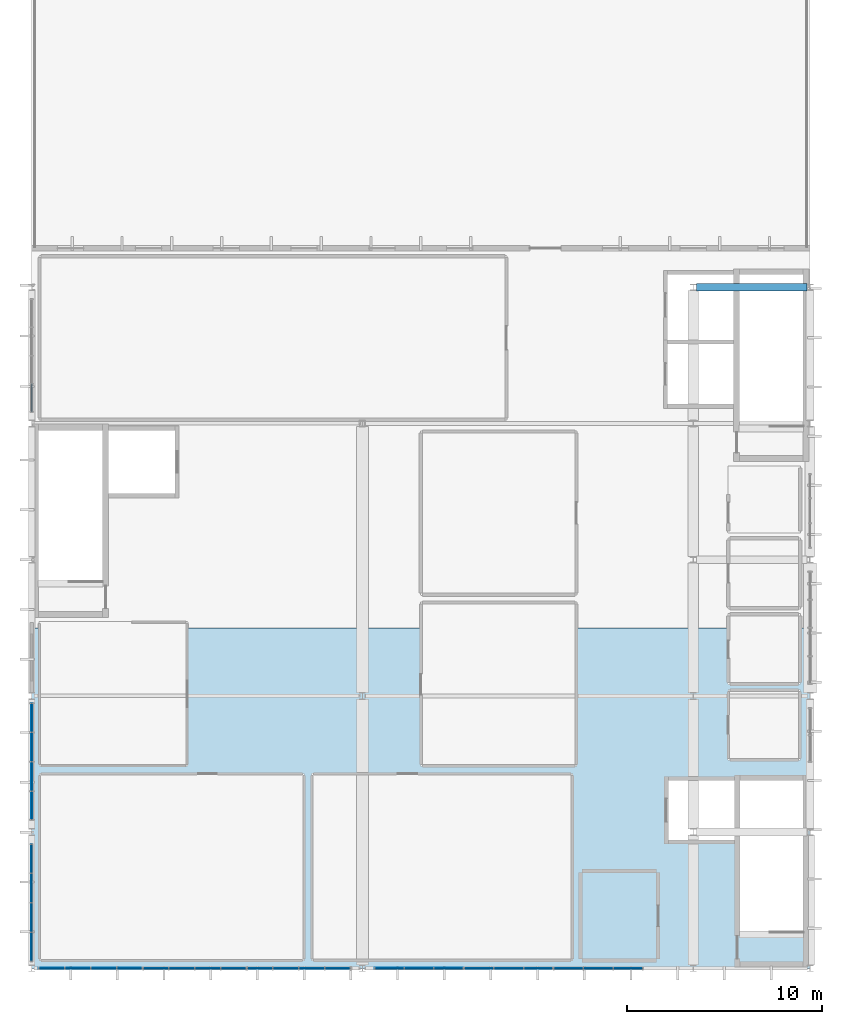
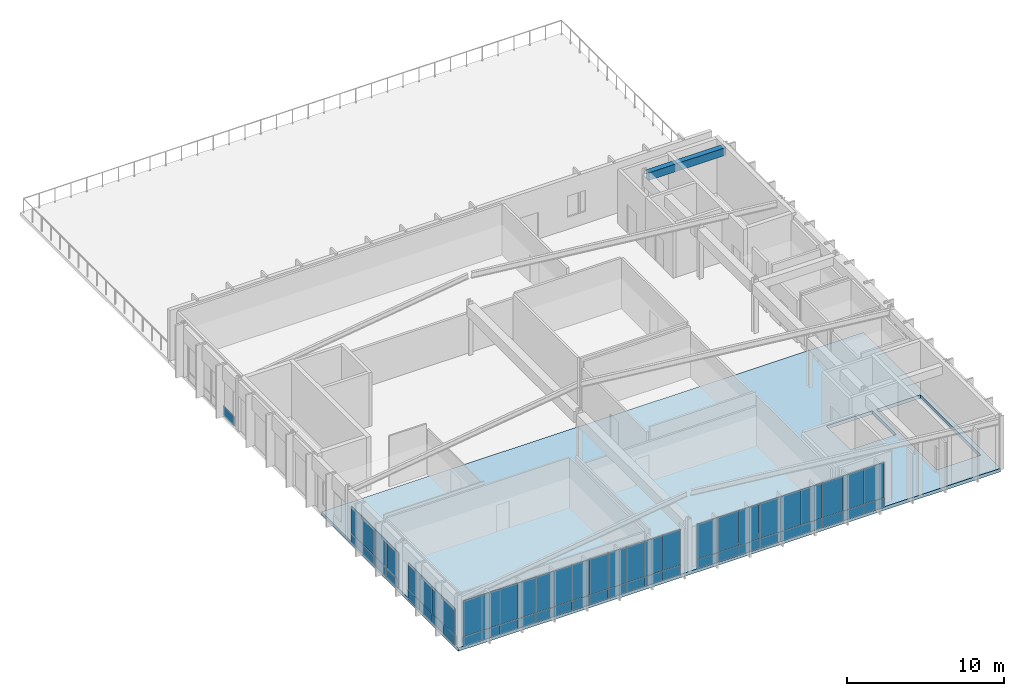
# One storey, part 11 of 16: 59 plates, 1 beam, 1 slab, 9 elements without a shape of their own.
"""IFC4 building model written with IfcOpenShell, lengths in metres."""

from ifc_helpers import new_model, si_unit, direction, frame, origin, origin_2d, place, context, subcontext, project, spatial, polyline, rectangle, outline, extrude, material, layer, layer_set, material_profile, profile_set, type_object, element, aggregate, save


model = new_model("IFC4")

# Units and contexts
model_context = context("Model", 3, precision=1e-05, world=origin(), true_north=direction((0.0, 1.0)))
body_context = subcontext(model_context, "Body", "Model", "MODEL_VIEW")
ifc_project = project(units=[si_unit("LENGTHUNIT", "METRE"), si_unit("AREAUNIT", "SQUARE_METRE"), si_unit("VOLUMEUNIT", "CUBIC_METRE"), si_unit("PLANEANGLEUNIT", "RADIAN"), si_unit("MASSUNIT", "GRAM", prefix="KILO")], contexts=[model_context])

# Site, building, storey
site_placement = place(None, origin())
site = spatial("IfcSite", under=ifc_project, at=site_placement, CompositionType="ELEMENT")
building_placement = place(site_placement, origin())
building = spatial("IfcBuilding", under=site, at=building_placement, Name="Larkveld Mobility Hub", CompositionType="ELEMENT")
storey_placement = place(building_placement, frame((0.0, 0.0, 22.800048828125)))
storey = spatial("IfcBuildingStorey", under=building, at=storey_placement, Name="L06", CompositionType="ELEMENT", Elevation=22.800048828125)

# Beam
ifc_material_1 = material(Name="Concrete C40/50", Category="concrete")
ifc_material_profile = material_profile(ifc_material_1, rectangle(XDim=0.39990234375, YDim=0.60009765625, at=origin_2d()), Name="RC BM 400x600")
ifc_profile_set = profile_set([ifc_material_profile], Name="Concrete C40/50")
beam_type = type_object("IfcBeamType", Name="BM-RC4060", PredefinedType="BEAM", material=ifc_profile_set)
beam_placement = place(storey_placement, frame((146.155029296875, 63.0, 3.679931640625), z_axis=(1.0, 0.0, 0.0), x_axis=(0.0, 1.0, 0.0)))
element("IfcBeam", 1, at=beam_placement, inside=storey, type_object=beam_type, Name="Primary E-W Girder L06-0998", PredefinedType="BEAM", context=body_context, shape_type="SweptSolid", body=[
    extrude(rectangle(XDim=0.39990234375, YDim=0.60009765625, at=origin_2d()), origin(), (0.0, 0.0, 1.0), 5.68994140625),
])

# Curtain wall, plates
ifc_material_2 = material(Name="Anodised aluminium 6063-T6", Category="aluminium")
curtain_wall_type_1 = type_object("IfcCurtainWallType", Name="CW-SYS-04", PredefinedType="NOTDEFINED", material=ifc_material_2)
curtain_wall_1_placement = place(storey_placement, origin())
curtain_wall_1 = element("IfcCurtainWall", 2, at=curtain_wall_1_placement, inside=storey, type_object=curtain_wall_type_1, Name="EV Wing West Glazing L06 CW-172", PredefinedType="NOTDEFINED")
ifc_material_3 = material(Name="Low-E laminated solar-control double glazing", Category="glass")
ifc_layer_1 = layer(ifc_material_3, 0.028076171875, Name="Low-E laminated solar-control double glazing", Category="glass")
ifc_layer_set_1 = layer_set([ifc_layer_1], Name="Low-E laminated solar-control double glazing")
plate_type_1 = type_object("IfcPlateType", Name="CW-PNL-GL01", PredefinedType="CURTAIN_PANEL", material=ifc_layer_set_1)
plate_1_placement = place(storey_placement, frame((112.0, 33.633056640625, 0.70751953125), z_axis=(0.0, 0.0, 1.0), x_axis=(0.0, -1.0, 0.0)))
plate_1 = element("IfcPlate", 3, at=plate_1_placement, type_object=plate_type_1, Name="CW04 panel 1", PredefinedType="CURTAIN_PANEL", context=body_context, shape_type="SweptSolid", body=[
    extrude(rectangle(XDim=1.48291015625, YDim=0.028076171875, at=origin_2d()), origin(), (0.0, 0.0, 1.0), 2.091064453125),
])
plate_2_placement = place(storey_placement, frame((112.0, 32.131103515625, 0.70751953125), z_axis=(0.0, 0.0, 1.0), x_axis=(0.0, -1.0, 0.0)))
plate_2 = element("IfcPlate", 4, at=plate_2_placement, type_object=plate_type_1, Name="CW04 panel 2", PredefinedType="CURTAIN_PANEL", context=body_context, shape_type="SweptSolid", body=[
    extrude(rectangle(XDim=1.5029296875, YDim=0.028076171875, at=origin_2d()), origin(), (0.0, 0.0, 1.0), 2.091064453125),
])
plate_3_placement = place(storey_placement, frame((112.0, 30.617919921875, 0.70751953125), z_axis=(0.0, 0.0, 1.0), x_axis=(0.0, -1.0, 0.0)))
plate_3 = element("IfcPlate", 5, at=plate_3_placement, type_object=plate_type_1, Name="CW04 panel 3", PredefinedType="CURTAIN_PANEL", context=body_context, shape_type="SweptSolid", body=[
    extrude(rectangle(XDim=1.5029296875, YDim=0.028076171875, at=origin_2d()), origin(), (0.0, 0.0, 1.0), 2.091064453125),
])
plate_4_placement = place(storey_placement, frame((112.0, 29.115966796875, 0.70751953125), z_axis=(0.0, 0.0, 1.0), x_axis=(0.0, -1.0, 0.0)))
plate_4 = element("IfcPlate", 6, at=plate_4_placement, type_object=plate_type_1, Name="CW04 panel 4", PredefinedType="CURTAIN_PANEL", context=body_context, shape_type="SweptSolid", body=[
    extrude(rectangle(XDim=1.48291015625, YDim=0.028076171875, at=origin_2d()), origin(), (0.0, 0.0, 1.0), 2.091064453125),
])

curtain_wall_type_2 = type_object("IfcCurtainWallType", Name="CW-SYS-10", PredefinedType="NOTDEFINED", material=ifc_material_2)
curtain_wall_2_placement = place(storey_placement, origin())
curtain_wall_2 = element("IfcCurtainWall", 7, at=curtain_wall_2_placement, inside=storey, type_object=curtain_wall_type_2, Name="Sports Pavilion South Overlook Glazing CW-178", PredefinedType="NOTDEFINED")
plate_5_placement = place(storey_placement, frame((118.37890625, 28.0, 0.75), z_axis=(0.0, 0.0, 1.0), x_axis=(1.0, 0.0, 0.0)))
plate_5 = element("IfcPlate", 8, at=plate_5_placement, type_object=plate_type_1, Name="CW10 panel 1", PredefinedType="CURTAIN_PANEL", context=body_context, shape_type="SweptSolid", body=[
    extrude(rectangle(XDim=1.306884765625, YDim=0.028076171875, at=origin_2d()), origin(), (0.0, 0.0, 1.0), 2.778076171875),
])
plate_6_placement = place(storey_placement, frame((119.70703125, 28.0, 0.75), z_axis=(0.0, 0.0, 1.0), x_axis=(1.0, 0.0, 0.0)))
plate_6 = element("IfcPlate", 9, at=plate_6_placement, type_object=plate_type_1, Name="CW10 panel 2", PredefinedType="CURTAIN_PANEL", context=body_context, shape_type="SweptSolid", body=[
    extrude(rectangle(XDim=1.326904296875, YDim=0.028076171875, at=origin_2d()), origin(), (0.0, 0.0, 1.0), 2.778076171875),
])
plate_7_placement = place(storey_placement, frame((121.0439453125, 28.0, 0.75), z_axis=(0.0, 0.0, 1.0), x_axis=(1.0, 0.0, 0.0)))
plate_7 = element("IfcPlate", 10, at=plate_7_placement, type_object=plate_type_1, Name="CW10 panel 3", PredefinedType="CURTAIN_PANEL", context=body_context, shape_type="SweptSolid", body=[
    extrude(rectangle(XDim=1.326904296875, YDim=0.028076171875, at=origin_2d()), origin(), (0.0, 0.0, 1.0), 2.778076171875),
])
plate_8_placement = place(storey_placement, frame((122.37109375, 28.0, 0.75), z_axis=(0.0, 0.0, 1.0), x_axis=(1.0, 0.0, 0.0)))
plate_8 = element("IfcPlate", 11, at=plate_8_placement, type_object=plate_type_1, Name="CW10 panel 4", PredefinedType="CURTAIN_PANEL", context=body_context, shape_type="SweptSolid", body=[
    extrude(rectangle(XDim=1.306884765625, YDim=0.028076171875, at=origin_2d()), origin(), (0.0, 0.0, 1.0), 2.778076171875),
])

curtain_wall_type_3 = type_object("IfcCurtainWallType", Name="CW-SYS-01", PredefinedType="NOTDEFINED", material=ifc_material_2)
curtain_wall_3_placement = place(storey_placement, origin())
curtain_wall_3 = element("IfcCurtainWall", 12, at=curtain_wall_3_placement, inside=storey, type_object=curtain_wall_type_3, Name="Sports Pavilion South Overlook Glazing CW-181", PredefinedType="NOTDEFINED")
plate_9_placement = place(storey_placement, frame((134.985107421875, 28.0, 0.75), z_axis=(0.0, 0.0, 1.0), x_axis=(1.0, 0.0, 0.0)))
plate_9 = element("IfcPlate", 13, at=plate_9_placement, type_object=plate_type_1, Name="CW01 panel 1", PredefinedType="CURTAIN_PANEL", context=body_context, shape_type="SweptSolid", body=[
    extrude(rectangle(XDim=1.506103515625, YDim=0.028076171875, at=origin_2d()), origin(), (0.0, 0.0, 1.0), 2.72802734375),
])
plate_10_placement = place(storey_placement, frame((136.510986328125, 28.0, 0.75), z_axis=(0.0, 0.0, 1.0), x_axis=(1.0, 0.0, 0.0)))
plate_10 = element("IfcPlate", 14, at=plate_10_placement, type_object=plate_type_1, Name="CW01 panel 2", PredefinedType="CURTAIN_PANEL", context=body_context, shape_type="SweptSolid", body=[
    extrude(rectangle(XDim=1.52587890625, YDim=0.028076171875, at=origin_2d()), origin(), (0.0, 0.0, 1.0), 2.72802734375),
])
plate_11_placement = place(storey_placement, frame((138.035888671875, 28.0, 0.75), z_axis=(0.0, 0.0, 1.0), x_axis=(1.0, 0.0, 0.0)))
plate_11 = element("IfcPlate", 15, at=plate_11_placement, type_object=plate_type_1, Name="CW01 panel 3", PredefinedType="CURTAIN_PANEL", context=body_context, shape_type="SweptSolid", body=[
    extrude(rectangle(XDim=1.506103515625, YDim=0.028076171875, at=origin_2d()), origin(), (0.0, 0.0, 1.0), 2.72802734375),
])

curtain_wall_type_4 = type_object("IfcCurtainWallType", Name="CW-SYS-11", PredefinedType="NOTDEFINED", material=ifc_material_2)
curtain_wall_4_placement = place(storey_placement, origin())
curtain_wall_4 = element("IfcCurtainWall", 16, at=curtain_wall_4_placement, inside=storey, type_object=curtain_wall_type_4, Name="Sports Pavilion South Overlook Glazing CW-179", PredefinedType="NOTDEFINED")
ifc_material_4 = material(Name="Acoustic solar-control laminated double glazing", Category="glass")
ifc_layer_2 = layer(ifc_material_4, 0.031982421875, Name="Acoustic solar-control laminated double glazing", Category="glass")
ifc_layer_set_2 = layer_set([ifc_layer_2], Name="Acoustic solar-control laminated double glazing")
plate_type_2 = type_object("IfcPlateType", Name="CW-PNL-GL02", PredefinedType="CURTAIN_PANEL", material=ifc_layer_set_2)
plate_12_placement = place(storey_placement, frame((123.72900390625, 28.0, 0.75), z_axis=(0.0, 0.0, 1.0), x_axis=(1.0, 0.0, 0.0)))
plate_12 = element("IfcPlate", 17, at=plate_12_placement, type_object=plate_type_2, Name="CW11 panel 1", PredefinedType="CURTAIN_PANEL", context=body_context, shape_type="SweptSolid", body=[
    extrude(rectangle(XDim=1.306884765625, YDim=0.031982421875, at=origin_2d()), origin(), (0.0, 0.0, 1.0), 2.778076171875),
])
plate_13_placement = place(storey_placement, frame((125.055908203125, 28.0, 0.75), z_axis=(0.0, 0.0, 1.0), x_axis=(1.0, 0.0, 0.0)))
plate_13 = element("IfcPlate", 18, at=plate_13_placement, type_object=plate_type_2, Name="CW11 panel 2", PredefinedType="CURTAIN_PANEL", context=body_context, shape_type="SweptSolid", body=[
    extrude(rectangle(XDim=1.326904296875, YDim=0.031982421875, at=origin_2d()), origin(), (0.0, 0.0, 1.0), 2.778076171875),
])
plate_14_placement = place(storey_placement, frame((126.39306640625, 28.0, 0.75), z_axis=(0.0, 0.0, 1.0), x_axis=(1.0, 0.0, 0.0)))
plate_14 = element("IfcPlate", 19, at=plate_14_placement, type_object=plate_type_2, Name="CW11 panel 3", PredefinedType="CURTAIN_PANEL", context=body_context, shape_type="SweptSolid", body=[
    extrude(rectangle(XDim=1.326904296875, YDim=0.031982421875, at=origin_2d()), origin(), (0.0, 0.0, 1.0), 2.778076171875),
])
plate_15_placement = place(storey_placement, frame((127.721923828125, 28.0, 0.75), z_axis=(0.0, 0.0, 1.0), x_axis=(1.0, 0.0, 0.0)))
plate_15 = element("IfcPlate", 20, at=plate_15_placement, type_object=plate_type_2, Name="CW11 panel 4", PredefinedType="CURTAIN_PANEL", context=body_context, shape_type="SweptSolid", body=[
    extrude(rectangle(XDim=1.306884765625, YDim=0.031982421875, at=origin_2d()), origin(), (0.0, 0.0, 1.0), 2.778076171875),
])

curtain_wall_type_5 = type_object("IfcCurtainWallType", Name="CW-SYS-02", PredefinedType="NOTDEFINED", material=ifc_material_2)
curtain_wall_5_placement = place(storey_placement, origin())
curtain_wall_5 = element("IfcCurtainWall", 21, at=curtain_wall_5_placement, inside=storey, type_object=curtain_wall_type_5, Name="Sports Pavilion South Overlook Glazing CW-182", PredefinedType="NOTDEFINED")
plate_16_placement = place(storey_placement, frame((139.591064453125, 28.0, 0.75), z_axis=(0.0, 0.0, 1.0), x_axis=(1.0, 0.0, 0.0)))
plate_16 = element("IfcPlate", 22, at=plate_16_placement, type_object=plate_type_2, Name="CW02 panel 1", PredefinedType="CURTAIN_PANEL", context=body_context, shape_type="SweptSolid", body=[
    extrude(rectangle(XDim=1.506103515625, YDim=0.031982421875, at=origin_2d()), origin(), (0.0, 0.0, 1.0), 2.72802734375),
])
plate_17_placement = place(storey_placement, frame((141.116943359375, 28.0, 0.75), z_axis=(0.0, 0.0, 1.0), x_axis=(1.0, 0.0, 0.0)))
plate_17 = element("IfcPlate", 23, at=plate_17_placement, type_object=plate_type_2, Name="CW02 panel 2", PredefinedType="CURTAIN_PANEL", context=body_context, shape_type="SweptSolid", body=[
    extrude(rectangle(XDim=1.52587890625, YDim=0.031982421875, at=origin_2d()), origin(), (0.0, 0.0, 1.0), 2.72802734375),
])
plate_18_placement = place(storey_placement, frame((142.64208984375, 28.0, 0.75), z_axis=(0.0, 0.0, 1.0), x_axis=(1.0, 0.0, 0.0)))
plate_18 = element("IfcPlate", 24, at=plate_18_placement, type_object=plate_type_2, Name="CW02 panel 3", PredefinedType="CURTAIN_PANEL", context=body_context, shape_type="SweptSolid", body=[
    extrude(rectangle(XDim=1.506103515625, YDim=0.031982421875, at=origin_2d()), origin(), (0.0, 0.0, 1.0), 2.72802734375),
])

curtain_wall_type_6 = type_object("IfcCurtainWallType", Name="CW-SYS-03", PredefinedType="NOTDEFINED", material=ifc_material_2)
curtain_wall_6_placement = place(storey_placement, origin())
curtain_wall_6 = element("IfcCurtainWall", 25, at=curtain_wall_6_placement, inside=storey, type_object=curtain_wall_type_6, Name="EV Wing West Glazing L06 CW-171", PredefinedType="NOTDEFINED")
ifc_material_5 = material(Name="Tinted safety double glazing", Category="glass")
ifc_layer_3 = layer(ifc_material_5, 0.035888671875, Name="Tinted safety double glazing", Category="glass")
ifc_layer_set_3 = layer_set([ifc_layer_3], Name="Tinted safety double glazing")
plate_type_3 = type_object("IfcPlateType", Name="CW-PNL-GL03", PredefinedType="CURTAIN_PANEL", material=ifc_layer_set_3)
plate_19_placement = place(storey_placement, frame((112.0, 40.883056640625, 0.70751953125), z_axis=(0.0, 0.0, 1.0), x_axis=(0.0, -1.0, 0.0)))
plate_19 = element("IfcPlate", 26, at=plate_19_placement, type_object=plate_type_3, Name="CW03 panel 1", PredefinedType="CURTAIN_PANEL", context=body_context, shape_type="SweptSolid", body=[
    extrude(rectangle(XDim=1.48291015625, YDim=0.035888671875, at=origin_2d()), origin(), (0.0, 0.0, 1.0), 2.091064453125),
])
plate_20_placement = place(storey_placement, frame((112.0, 39.381103515625, 0.70751953125), z_axis=(0.0, 0.0, 1.0), x_axis=(0.0, -1.0, 0.0)))
plate_20 = element("IfcPlate", 27, at=plate_20_placement, type_object=plate_type_3, Name="CW03 panel 2", PredefinedType="CURTAIN_PANEL", context=body_context, shape_type="SweptSolid", body=[
    extrude(rectangle(XDim=1.5029296875, YDim=0.035888671875, at=origin_2d()), origin(), (0.0, 0.0, 1.0), 2.091064453125),
])
plate_21_placement = place(storey_placement, frame((112.0, 37.867919921875, 0.70751953125), z_axis=(0.0, 0.0, 1.0), x_axis=(0.0, -1.0, 0.0)))
plate_21 = element("IfcPlate", 28, at=plate_21_placement, type_object=plate_type_3, Name="CW03 panel 3", PredefinedType="CURTAIN_PANEL", context=body_context, shape_type="SweptSolid", body=[
    extrude(rectangle(XDim=1.5029296875, YDim=0.035888671875, at=origin_2d()), origin(), (0.0, 0.0, 1.0), 2.091064453125),
])
plate_22_placement = place(storey_placement, frame((112.0, 36.365966796875, 0.70751953125), z_axis=(0.0, 0.0, 1.0), x_axis=(0.0, -1.0, 0.0)))
plate_22 = element("IfcPlate", 29, at=plate_22_placement, type_object=plate_type_3, Name="CW03 panel 4", PredefinedType="CURTAIN_PANEL", context=body_context, shape_type="SweptSolid", body=[
    extrude(rectangle(XDim=1.48291015625, YDim=0.035888671875, at=origin_2d()), origin(), (0.0, 0.0, 1.0), 2.091064453125),
])

curtain_wall_type_7 = type_object("IfcCurtainWallType", Name="CW-SYS-09", PredefinedType="NOTDEFINED", material=ifc_material_2)
curtain_wall_7_placement = place(storey_placement, origin())
curtain_wall_7 = element("IfcCurtainWall", 30, at=curtain_wall_7_placement, inside=storey, type_object=curtain_wall_type_7, Name="Sports Pavilion South Overlook Glazing CW-177", PredefinedType="NOTDEFINED")
plate_23_placement = place(storey_placement, frame((113.029052734375, 28.0, 0.75), z_axis=(0.0, 0.0, 1.0), x_axis=(1.0, 0.0, 0.0)))
plate_23 = element("IfcPlate", 31, at=plate_23_placement, type_object=plate_type_3, Name="CW09 panel 1", PredefinedType="CURTAIN_PANEL", context=body_context, shape_type="SweptSolid", body=[
    extrude(rectangle(XDim=1.306884765625, YDim=0.035888671875, at=origin_2d()), origin(), (0.0, 0.0, 1.0), 2.778076171875),
])
plate_24_placement = place(storey_placement, frame((114.35693359375, 28.0, 0.75), z_axis=(0.0, 0.0, 1.0), x_axis=(1.0, 0.0, 0.0)))
plate_24 = element("IfcPlate", 32, at=plate_24_placement, type_object=plate_type_3, Name="CW09 panel 2", PredefinedType="CURTAIN_PANEL", context=body_context, shape_type="SweptSolid", body=[
    extrude(rectangle(XDim=1.326904296875, YDim=0.035888671875, at=origin_2d()), origin(), (0.0, 0.0, 1.0), 2.778076171875),
])
plate_25_placement = place(storey_placement, frame((115.694091796875, 28.0, 0.75), z_axis=(0.0, 0.0, 1.0), x_axis=(1.0, 0.0, 0.0)))
plate_25 = element("IfcPlate", 33, at=plate_25_placement, type_object=plate_type_3, Name="CW09 panel 3", PredefinedType="CURTAIN_PANEL", context=body_context, shape_type="SweptSolid", body=[
    extrude(rectangle(XDim=1.326904296875, YDim=0.035888671875, at=origin_2d()), origin(), (0.0, 0.0, 1.0), 2.778076171875),
])
plate_26_placement = place(storey_placement, frame((117.02099609375, 28.0, 0.75), z_axis=(0.0, 0.0, 1.0), x_axis=(1.0, 0.0, 0.0)))
plate_26 = element("IfcPlate", 34, at=plate_26_placement, type_object=plate_type_3, Name="CW09 panel 4", PredefinedType="CURTAIN_PANEL", context=body_context, shape_type="SweptSolid", body=[
    extrude(rectangle(XDim=1.306884765625, YDim=0.035888671875, at=origin_2d()), origin(), (0.0, 0.0, 1.0), 2.778076171875),
])

curtain_wall_type_8 = type_object("IfcCurtainWallType", Name="CW-SYS-12", PredefinedType="NOTDEFINED", material=ifc_material_2)
curtain_wall_8_placement = place(storey_placement, origin())
curtain_wall_8 = element("IfcCurtainWall", 35, at=curtain_wall_8_placement, inside=storey, type_object=curtain_wall_type_8, Name="Sports Pavilion South Overlook Glazing CW-180", PredefinedType="NOTDEFINED")
plate_27_placement = place(storey_placement, frame((130.3779296875, 28.0, 0.75), z_axis=(0.0, 0.0, 1.0), x_axis=(1.0, 0.0, 0.0)))
plate_27 = element("IfcPlate", 36, at=plate_27_placement, type_object=plate_type_3, Name="CW12 panel 1", PredefinedType="CURTAIN_PANEL", context=body_context, shape_type="SweptSolid", body=[
    extrude(rectangle(XDim=1.506103515625, YDim=0.035888671875, at=origin_2d()), origin(), (0.0, 0.0, 1.0), 2.72802734375),
])
plate_28_placement = place(storey_placement, frame((131.904052734375, 28.0, 0.75), z_axis=(0.0, 0.0, 1.0), x_axis=(1.0, 0.0, 0.0)))
plate_28 = element("IfcPlate", 37, at=plate_28_placement, type_object=plate_type_3, Name="CW12 panel 2", PredefinedType="CURTAIN_PANEL", context=body_context, shape_type="SweptSolid", body=[
    extrude(rectangle(XDim=1.52587890625, YDim=0.035888671875, at=origin_2d()), origin(), (0.0, 0.0, 1.0), 2.72802734375),
])
plate_29_placement = place(storey_placement, frame((133.428955078125, 28.0, 0.75), z_axis=(0.0, 0.0, 1.0), x_axis=(1.0, 0.0, 0.0)))
plate_29 = element("IfcPlate", 38, at=plate_29_placement, type_object=plate_type_3, Name="CW12 panel 3", PredefinedType="CURTAIN_PANEL", context=body_context, shape_type="SweptSolid", body=[
    extrude(rectangle(XDim=1.506103515625, YDim=0.035888671875, at=origin_2d()), origin(), (0.0, 0.0, 1.0), 2.72802734375),
])

# Plate
ifc_material_6 = material(Name="Insulated fluoropolymer aluminium spandrel", Category="aluminium")
ifc_layer_4 = layer(ifc_material_6, 0.06494140625, Name="Insulated fluoropolymer aluminium spandrel", Category="aluminium")
ifc_layer_set_4 = layer_set([ifc_layer_4], Name="Insulated fluoropolymer aluminium spandrel")
plate_type_4 = type_object("IfcPlateType", Name="CW-PNL-SP01", PredefinedType="CURTAIN_PANEL", material=ifc_layer_set_4)
plate_30_placement = place(storey_placement, frame((112.0, 40.883056640625, 0.00048828125), z_axis=(0.0, 0.0, 1.0), x_axis=(0.0, -1.0, 0.0)))
plate_30 = element("IfcPlate", 39, at=plate_30_placement, type_object=plate_type_4, Name="CW03 spandrel 1", PredefinedType="CURTAIN_PANEL", context=body_context, shape_type="SweptSolid", body=[
    extrude(rectangle(XDim=1.48291015625, YDim=0.06494140625, at=origin_2d()), origin(), (0.0, 0.0, 1.0), 0.695068359375),
])

plate_31_placement = place(storey_placement, frame((112.0, 39.381103515625, 0.00048828125), z_axis=(0.0, 0.0, 1.0), x_axis=(0.0, -1.0, 0.0)))
plate_31 = element("IfcPlate", 40, at=plate_31_placement, type_object=plate_type_4, Name="CW03 spandrel 2", PredefinedType="CURTAIN_PANEL", context=body_context, shape_type="SweptSolid", body=[
    extrude(rectangle(XDim=1.5029296875, YDim=0.06494140625, at=origin_2d()), origin(), (0.0, 0.0, 1.0), 0.695068359375),
])

plate_32_placement = place(storey_placement, frame((112.0, 37.867919921875, 0.00048828125), z_axis=(0.0, 0.0, 1.0), x_axis=(0.0, -1.0, 0.0)))
plate_32 = element("IfcPlate", 41, at=plate_32_placement, type_object=plate_type_4, Name="CW03 spandrel 3", PredefinedType="CURTAIN_PANEL", context=body_context, shape_type="SweptSolid", body=[
    extrude(rectangle(XDim=1.5029296875, YDim=0.06494140625, at=origin_2d()), origin(), (0.0, 0.0, 1.0), 0.695068359375),
])

plate_33_placement = place(storey_placement, frame((112.0, 36.365966796875, 0.00048828125), z_axis=(0.0, 0.0, 1.0), x_axis=(0.0, -1.0, 0.0)))
plate_33 = element("IfcPlate", 42, at=plate_33_placement, type_object=plate_type_4, Name="CW03 spandrel 4", PredefinedType="CURTAIN_PANEL", context=body_context, shape_type="SweptSolid", body=[
    extrude(rectangle(XDim=1.48291015625, YDim=0.06494140625, at=origin_2d()), origin(), (0.0, 0.0, 1.0), 0.695068359375),
])

aggregate(curtain_wall_6, [plate_30, plate_19, plate_31, plate_20, plate_32, plate_21, plate_33, plate_22])

# Curtain wall, plate
curtain_wall_type_9 = type_object("IfcCurtainWallType", Name="CW-SYS-05", PredefinedType="NOTDEFINED", material=ifc_material_2)
curtain_wall_9_placement = place(storey_placement, origin())
curtain_wall_9 = element("IfcCurtainWall", 43, at=curtain_wall_9_placement, inside=storey, type_object=curtain_wall_type_9, Name="EV Wing West Glazing L06 CW-173", PredefinedType="NOTDEFINED")
plate_34_placement = place(storey_placement, frame((112.0, 57.318115234375, 0.00048828125), z_axis=(0.0, 0.0, 1.0), x_axis=(0.0, -1.0, 0.0)))
plate_34 = element("IfcPlate", 44, at=plate_34_placement, type_object=plate_type_4, Name="CW05 spandrel 4", PredefinedType="CURTAIN_PANEL", context=body_context, shape_type="SweptSolid", body=[
    extrude(rectangle(XDim=1.425048828125, YDim=0.06494140625, at=origin_2d()), origin(), (0.0, 0.0, 1.0), 0.695068359375),
])
aggregate(curtain_wall_9, [plate_34])

# Plate
plate_35_placement = place(storey_placement, frame((113.029052734375, 28.0, 0.0), z_axis=(0.0, 0.0, 1.0), x_axis=(1.0, 0.0, 0.0)))
plate_35 = element("IfcPlate", 45, at=plate_35_placement, type_object=plate_type_4, Name="CW09 spandrel 1", PredefinedType="CURTAIN_PANEL", context=body_context, shape_type="SweptSolid", body=[
    extrude(rectangle(XDim=1.306884765625, YDim=0.06494140625, at=origin_2d()), origin(), (0.0, 0.0, 1.0), 0.738037109375),
])

plate_36_placement = place(storey_placement, frame((114.35693359375, 28.0, 0.0), z_axis=(0.0, 0.0, 1.0), x_axis=(1.0, 0.0, 0.0)))
plate_36 = element("IfcPlate", 46, at=plate_36_placement, type_object=plate_type_4, Name="CW09 spandrel 2", PredefinedType="CURTAIN_PANEL", context=body_context, shape_type="SweptSolid", body=[
    extrude(rectangle(XDim=1.326904296875, YDim=0.06494140625, at=origin_2d()), origin(), (0.0, 0.0, 1.0), 0.738037109375),
])

plate_37_placement = place(storey_placement, frame((115.694091796875, 28.0, 0.0), z_axis=(0.0, 0.0, 1.0), x_axis=(1.0, 0.0, 0.0)))
plate_37 = element("IfcPlate", 47, at=plate_37_placement, type_object=plate_type_4, Name="CW09 spandrel 3", PredefinedType="CURTAIN_PANEL", context=body_context, shape_type="SweptSolid", body=[
    extrude(rectangle(XDim=1.326904296875, YDim=0.06494140625, at=origin_2d()), origin(), (0.0, 0.0, 1.0), 0.738037109375),
])

plate_38_placement = place(storey_placement, frame((117.02099609375, 28.0, 0.0), z_axis=(0.0, 0.0, 1.0), x_axis=(1.0, 0.0, 0.0)))
plate_38 = element("IfcPlate", 48, at=plate_38_placement, type_object=plate_type_4, Name="CW09 spandrel 4", PredefinedType="CURTAIN_PANEL", context=body_context, shape_type="SweptSolid", body=[
    extrude(rectangle(XDim=1.306884765625, YDim=0.06494140625, at=origin_2d()), origin(), (0.0, 0.0, 1.0), 0.738037109375),
])

aggregate(curtain_wall_7, [plate_35, plate_23, plate_36, plate_24, plate_37, plate_25, plate_38, plate_26])

plate_39_placement = place(storey_placement, frame((123.72900390625, 28.0, 0.0), z_axis=(0.0, 0.0, 1.0), x_axis=(1.0, 0.0, 0.0)))
plate_39 = element("IfcPlate", 49, at=plate_39_placement, type_object=plate_type_4, Name="CW11 spandrel 1", PredefinedType="CURTAIN_PANEL", context=body_context, shape_type="SweptSolid", body=[
    extrude(rectangle(XDim=1.306884765625, YDim=0.06494140625, at=origin_2d()), origin(), (0.0, 0.0, 1.0), 0.738037109375),
])

plate_40_placement = place(storey_placement, frame((125.055908203125, 28.0, 0.0), z_axis=(0.0, 0.0, 1.0), x_axis=(1.0, 0.0, 0.0)))
plate_40 = element("IfcPlate", 50, at=plate_40_placement, type_object=plate_type_4, Name="CW11 spandrel 2", PredefinedType="CURTAIN_PANEL", context=body_context, shape_type="SweptSolid", body=[
    extrude(rectangle(XDim=1.326904296875, YDim=0.06494140625, at=origin_2d()), origin(), (0.0, 0.0, 1.0), 0.738037109375),
])

plate_41_placement = place(storey_placement, frame((126.39306640625, 28.0, 0.0), z_axis=(0.0, 0.0, 1.0), x_axis=(1.0, 0.0, 0.0)))
plate_41 = element("IfcPlate", 51, at=plate_41_placement, type_object=plate_type_4, Name="CW11 spandrel 3", PredefinedType="CURTAIN_PANEL", context=body_context, shape_type="SweptSolid", body=[
    extrude(rectangle(XDim=1.326904296875, YDim=0.06494140625, at=origin_2d()), origin(), (0.0, 0.0, 1.0), 0.738037109375),
])

plate_42_placement = place(storey_placement, frame((127.721923828125, 28.0, 0.0), z_axis=(0.0, 0.0, 1.0), x_axis=(1.0, 0.0, 0.0)))
plate_42 = element("IfcPlate", 52, at=plate_42_placement, type_object=plate_type_4, Name="CW11 spandrel 4", PredefinedType="CURTAIN_PANEL", context=body_context, shape_type="SweptSolid", body=[
    extrude(rectangle(XDim=1.306884765625, YDim=0.06494140625, at=origin_2d()), origin(), (0.0, 0.0, 1.0), 0.738037109375),
])

aggregate(curtain_wall_4, [plate_39, plate_12, plate_40, plate_13, plate_41, plate_14, plate_42, plate_15])

plate_43_placement = place(storey_placement, frame((134.985107421875, 28.0, 0.0), z_axis=(0.0, 0.0, 1.0), x_axis=(1.0, 0.0, 0.0)))
plate_43 = element("IfcPlate", 53, at=plate_43_placement, type_object=plate_type_4, Name="CW01 spandrel 1", PredefinedType="CURTAIN_PANEL", context=body_context, shape_type="SweptSolid", body=[
    extrude(rectangle(XDim=1.506103515625, YDim=0.06494140625, at=origin_2d()), origin(), (0.0, 0.0, 1.0), 0.738037109375),
])

plate_44_placement = place(storey_placement, frame((136.510986328125, 28.0, 0.0), z_axis=(0.0, 0.0, 1.0), x_axis=(1.0, 0.0, 0.0)))
plate_44 = element("IfcPlate", 54, at=plate_44_placement, type_object=plate_type_4, Name="CW01 spandrel 2", PredefinedType="CURTAIN_PANEL", context=body_context, shape_type="SweptSolid", body=[
    extrude(rectangle(XDim=1.52587890625, YDim=0.06494140625, at=origin_2d()), origin(), (0.0, 0.0, 1.0), 0.738037109375),
])

plate_45_placement = place(storey_placement, frame((138.035888671875, 28.0, 0.0), z_axis=(0.0, 0.0, 1.0), x_axis=(1.0, 0.0, 0.0)))
plate_45 = element("IfcPlate", 55, at=plate_45_placement, type_object=plate_type_4, Name="CW01 spandrel 3", PredefinedType="CURTAIN_PANEL", context=body_context, shape_type="SweptSolid", body=[
    extrude(rectangle(XDim=1.506103515625, YDim=0.06494140625, at=origin_2d()), origin(), (0.0, 0.0, 1.0), 0.738037109375),
])

aggregate(curtain_wall_3, [plate_43, plate_9, plate_44, plate_10, plate_45, plate_11])

ifc_material_7 = material(Name="Insulated terracotta-toned aluminium spandrel", Category="masonry")
ifc_layer_5 = layer(ifc_material_7, 0.080078125, Name="Insulated terracotta-toned aluminium spandrel", Category="masonry")
ifc_layer_set_5 = layer_set([ifc_layer_5], Name="Insulated terracotta-toned aluminium spandrel")
plate_type_5 = type_object("IfcPlateType", Name="CW-PNL-SP02", PredefinedType="CURTAIN_PANEL", material=ifc_layer_set_5)
plate_46_placement = place(storey_placement, frame((112.0, 33.633056640625, 0.00048828125), z_axis=(0.0, 0.0, 1.0), x_axis=(0.0, -1.0, 0.0)))
plate_46 = element("IfcPlate", 56, at=plate_46_placement, type_object=plate_type_5, Name="CW04 spandrel 1", PredefinedType="CURTAIN_PANEL", context=body_context, shape_type="SweptSolid", body=[
    extrude(rectangle(XDim=1.48291015625, YDim=0.080078125, at=origin_2d()), origin(), (0.0, 0.0, 1.0), 0.695068359375),
])

plate_47_placement = place(storey_placement, frame((112.0, 32.131103515625, 0.00048828125), z_axis=(0.0, 0.0, 1.0), x_axis=(0.0, -1.0, 0.0)))
plate_47 = element("IfcPlate", 57, at=plate_47_placement, type_object=plate_type_5, Name="CW04 spandrel 2", PredefinedType="CURTAIN_PANEL", context=body_context, shape_type="SweptSolid", body=[
    extrude(rectangle(XDim=1.5029296875, YDim=0.080078125, at=origin_2d()), origin(), (0.0, 0.0, 1.0), 0.695068359375),
])

plate_48_placement = place(storey_placement, frame((112.0, 30.617919921875, 0.00048828125), z_axis=(0.0, 0.0, 1.0), x_axis=(0.0, -1.0, 0.0)))
plate_48 = element("IfcPlate", 58, at=plate_48_placement, type_object=plate_type_5, Name="CW04 spandrel 3", PredefinedType="CURTAIN_PANEL", context=body_context, shape_type="SweptSolid", body=[
    extrude(rectangle(XDim=1.5029296875, YDim=0.080078125, at=origin_2d()), origin(), (0.0, 0.0, 1.0), 0.695068359375),
])

plate_49_placement = place(storey_placement, frame((112.0, 29.115966796875, 0.00048828125), z_axis=(0.0, 0.0, 1.0), x_axis=(0.0, -1.0, 0.0)))
plate_49 = element("IfcPlate", 59, at=plate_49_placement, type_object=plate_type_5, Name="CW04 spandrel 4", PredefinedType="CURTAIN_PANEL", context=body_context, shape_type="SweptSolid", body=[
    extrude(rectangle(XDim=1.48291015625, YDim=0.080078125, at=origin_2d()), origin(), (0.0, 0.0, 1.0), 0.695068359375),
])

aggregate(curtain_wall_1, [plate_46, plate_1, plate_47, plate_2, plate_48, plate_3, plate_49, plate_4])

plate_50_placement = place(storey_placement, frame((118.37890625, 28.0, 0.0), z_axis=(0.0, 0.0, 1.0), x_axis=(1.0, 0.0, 0.0)))
plate_50 = element("IfcPlate", 60, at=plate_50_placement, type_object=plate_type_5, Name="CW10 spandrel 1", PredefinedType="CURTAIN_PANEL", context=body_context, shape_type="SweptSolid", body=[
    extrude(rectangle(XDim=1.306884765625, YDim=0.080078125, at=origin_2d()), origin(), (0.0, 0.0, 1.0), 0.738037109375),
])

plate_51_placement = place(storey_placement, frame((119.70703125, 28.0, 0.0), z_axis=(0.0, 0.0, 1.0), x_axis=(1.0, 0.0, 0.0)))
plate_51 = element("IfcPlate", 61, at=plate_51_placement, type_object=plate_type_5, Name="CW10 spandrel 2", PredefinedType="CURTAIN_PANEL", context=body_context, shape_type="SweptSolid", body=[
    extrude(rectangle(XDim=1.326904296875, YDim=0.080078125, at=origin_2d()), origin(), (0.0, 0.0, 1.0), 0.738037109375),
])

plate_52_placement = place(storey_placement, frame((121.0439453125, 28.0, 0.0), z_axis=(0.0, 0.0, 1.0), x_axis=(1.0, 0.0, 0.0)))
plate_52 = element("IfcPlate", 62, at=plate_52_placement, type_object=plate_type_5, Name="CW10 spandrel 3", PredefinedType="CURTAIN_PANEL", context=body_context, shape_type="SweptSolid", body=[
    extrude(rectangle(XDim=1.326904296875, YDim=0.080078125, at=origin_2d()), origin(), (0.0, 0.0, 1.0), 0.738037109375),
])

plate_53_placement = place(storey_placement, frame((122.37109375, 28.0, 0.0), z_axis=(0.0, 0.0, 1.0), x_axis=(1.0, 0.0, 0.0)))
plate_53 = element("IfcPlate", 63, at=plate_53_placement, type_object=plate_type_5, Name="CW10 spandrel 4", PredefinedType="CURTAIN_PANEL", context=body_context, shape_type="SweptSolid", body=[
    extrude(rectangle(XDim=1.306884765625, YDim=0.080078125, at=origin_2d()), origin(), (0.0, 0.0, 1.0), 0.738037109375),
])

aggregate(curtain_wall_2, [plate_50, plate_5, plate_51, plate_6, plate_52, plate_7, plate_53, plate_8])

plate_54_placement = place(storey_placement, frame((130.3779296875, 28.0, 0.0), z_axis=(0.0, 0.0, 1.0), x_axis=(1.0, 0.0, 0.0)))
plate_54 = element("IfcPlate", 64, at=plate_54_placement, type_object=plate_type_5, Name="CW12 spandrel 1", PredefinedType="CURTAIN_PANEL", context=body_context, shape_type="SweptSolid", body=[
    extrude(rectangle(XDim=1.506103515625, YDim=0.080078125, at=origin_2d()), origin(), (0.0, 0.0, 1.0), 0.738037109375),
])

plate_55_placement = place(storey_placement, frame((131.904052734375, 28.0, 0.0), z_axis=(0.0, 0.0, 1.0), x_axis=(1.0, 0.0, 0.0)))
plate_55 = element("IfcPlate", 65, at=plate_55_placement, type_object=plate_type_5, Name="CW12 spandrel 2", PredefinedType="CURTAIN_PANEL", context=body_context, shape_type="SweptSolid", body=[
    extrude(rectangle(XDim=1.52587890625, YDim=0.080078125, at=origin_2d()), origin(), (0.0, 0.0, 1.0), 0.738037109375),
])

plate_56_placement = place(storey_placement, frame((133.428955078125, 28.0, 0.0), z_axis=(0.0, 0.0, 1.0), x_axis=(1.0, 0.0, 0.0)))
plate_56 = element("IfcPlate", 66, at=plate_56_placement, type_object=plate_type_5, Name="CW12 spandrel 3", PredefinedType="CURTAIN_PANEL", context=body_context, shape_type="SweptSolid", body=[
    extrude(rectangle(XDim=1.506103515625, YDim=0.080078125, at=origin_2d()), origin(), (0.0, 0.0, 1.0), 0.738037109375),
])

aggregate(curtain_wall_8, [plate_54, plate_27, plate_55, plate_28, plate_56, plate_29])

plate_57_placement = place(storey_placement, frame((139.591064453125, 28.0, 0.0), z_axis=(0.0, 0.0, 1.0), x_axis=(1.0, 0.0, 0.0)))
plate_57 = element("IfcPlate", 67, at=plate_57_placement, type_object=plate_type_5, Name="CW02 spandrel 1", PredefinedType="CURTAIN_PANEL", context=body_context, shape_type="SweptSolid", body=[
    extrude(rectangle(XDim=1.506103515625, YDim=0.080078125, at=origin_2d()), origin(), (0.0, 0.0, 1.0), 0.738037109375),
])

plate_58_placement = place(storey_placement, frame((141.116943359375, 28.0, 0.0), z_axis=(0.0, 0.0, 1.0), x_axis=(1.0, 0.0, 0.0)))
plate_58 = element("IfcPlate", 68, at=plate_58_placement, type_object=plate_type_5, Name="CW02 spandrel 2", PredefinedType="CURTAIN_PANEL", context=body_context, shape_type="SweptSolid", body=[
    extrude(rectangle(XDim=1.52587890625, YDim=0.080078125, at=origin_2d()), origin(), (0.0, 0.0, 1.0), 0.738037109375),
])

plate_59_placement = place(storey_placement, frame((142.64208984375, 28.0, 0.0), z_axis=(0.0, 0.0, 1.0), x_axis=(1.0, 0.0, 0.0)))
plate_59 = element("IfcPlate", 69, at=plate_59_placement, type_object=plate_type_5, Name="CW02 spandrel 3", PredefinedType="CURTAIN_PANEL", context=body_context, shape_type="SweptSolid", body=[
    extrude(rectangle(XDim=1.506103515625, YDim=0.080078125, at=origin_2d()), origin(), (0.0, 0.0, 1.0), 0.738037109375),
])

aggregate(curtain_wall_5, [plate_57, plate_16, plate_58, plate_17, plate_59, plate_18])

# Slab
ifc_layer_6 = layer(ifc_material_1, 0.27001953125, Name="Concrete C40/50", Category="concrete")
ifc_layer_set_6 = layer_set([ifc_layer_6], Name="Concrete C40/50")
slab_type = type_object("IfcSlabType", Name="SL-FLR-270", PredefinedType="FLOOR", material=ifc_layer_set_6)
slab_placement = place(storey_placement, frame((0.0, 0.0, -0.27001953125)))
element("IfcSlab", 70, at=slab_placement, inside=storey, type_object=slab_type, Name="EV Wing and Sports Pavilion Slab L06-153", PredefinedType="FLOOR", context=body_context, shape_type="SweptSolid", body=[
    extrude(outline(polyline([(112.0, 28.0), (152.0, 28.0), (152.0, 45.5), (112.0, 45.5), (112.0, 28.0)]), holes=[polyline([(148.39990234375, 29.89990234375), (148.39990234375, 37.64990234375), (151.64990234375, 37.64990234375), (151.64990234375, 29.89990234375), (148.39990234375, 29.89990234375)]), polyline([(144.719970703125, 34.60009765625), (144.719970703125, 37.64990234375), (148.1201171875, 37.64990234375), (148.1201171875, 34.60009765625), (144.719970703125, 34.60009765625)])]), origin(), (0.0, 0.0, 1.0), 0.27001953125),
])

save(model, "model.ifc")
